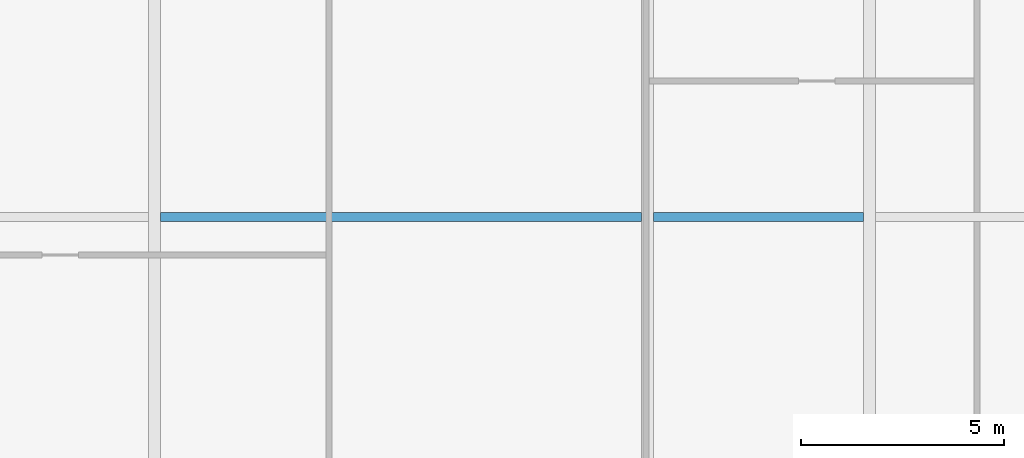
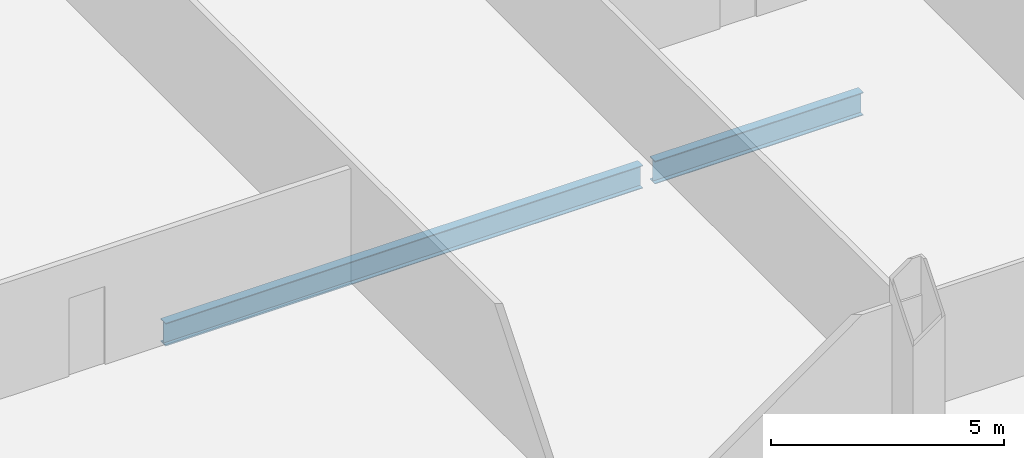
# One storey, part 13 of 32: 2 beams.
"""IFC4 building model written with IfcOpenShell, lengths in metres."""

from ifc_helpers import new_model, si_unit, direction, frame, origin, origin_2d, place, context, subcontext, project, spatial, i_section, extrude, material, material_profile, profile_set, type_object, element, save


model = new_model("IFC4")

# Units and contexts
model_context = context("Model", 3, precision=1e-05, world=origin(), true_north=direction((0.0, 1.0)))
body_context = subcontext(model_context, "Body", "Model", "MODEL_VIEW")
ifc_project = project(units=[si_unit("LENGTHUNIT", "METRE"), si_unit("AREAUNIT", "SQUARE_METRE"), si_unit("VOLUMEUNIT", "CUBIC_METRE"), si_unit("PLANEANGLEUNIT", "RADIAN"), si_unit("MASSUNIT", "GRAM", prefix="KILO")], contexts=[model_context])

# Site, building, storey
site_placement = place(None, origin())
site = spatial("IfcSite", under=ifc_project, at=site_placement, CompositionType="ELEMENT")
building_placement = place(site_placement, origin())
building = spatial("IfcBuilding", under=site, at=building_placement, Name="Khoronbel Lancet Exchange", CompositionType="ELEMENT")
storey_placement = place(building_placement, frame((0.0, 0.0, 65.800048828125)))
storey = spatial("IfcBuildingStorey", under=building, at=storey_placement, Name="L15", CompositionType="ELEMENT", Elevation=65.800048828125)

# Beams
ifc_material = material(Name="Steel S355", Category="steel")
ifc_material_profile = material_profile(ifc_material, i_section(OverallWidth=0.219970703125, OverallDepth=0.60009765625, WebThickness=0.011962890625, FlangeThickness=0.01904296875, at=origin_2d()), Name="IPE 600")
ifc_profile_set = profile_set([ifc_material_profile], Name="Steel S355")
beam_type = type_object("IfcBeamType", Name="BM-BJ1", PredefinedType="JOIST", material=ifc_profile_set)
beam_1_placement = place(storey_placement, frame((30.52490234375, 21.800048828125, -0.47998046875), z_axis=(1.0, 0.0, 0.0), x_axis=(0.0, 1.0, 0.0)))
element("IfcBeam", 1, at=beam_1_placement, inside=storey, type_object=beam_type, Name="Level L15 secondary composite joist J08", PredefinedType="JOIST", context=body_context, shape_type="SweptSolid", body=[
    extrude(i_section(OverallWidth=0.219970703125, OverallDepth=0.60009765625, WebThickness=0.011962890625, FlangeThickness=0.01904296875, at=origin_2d()), origin(), (0.0, 0.0, 1.0), 11.85009765625),
])
beam_2_placement = place(storey_placement, frame((42.675048828125, 21.800048828125, -0.47998046875), z_axis=(1.0, 0.0, 0.0), x_axis=(0.0, 1.0, 0.0)))
element("IfcBeam", 2, at=beam_2_placement, inside=storey, type_object=beam_type, Name="Level L15 secondary composite joist J09", PredefinedType="JOIST", context=body_context, shape_type="SweptSolid", body=[
    extrude(i_section(OverallWidth=0.219970703125, OverallDepth=0.60009765625, WebThickness=0.011962890625, FlangeThickness=0.01904296875, at=origin_2d()), origin(), (0.0, 0.0, 1.0), 5.175048828125),
])

save(model, "model.ifc")
